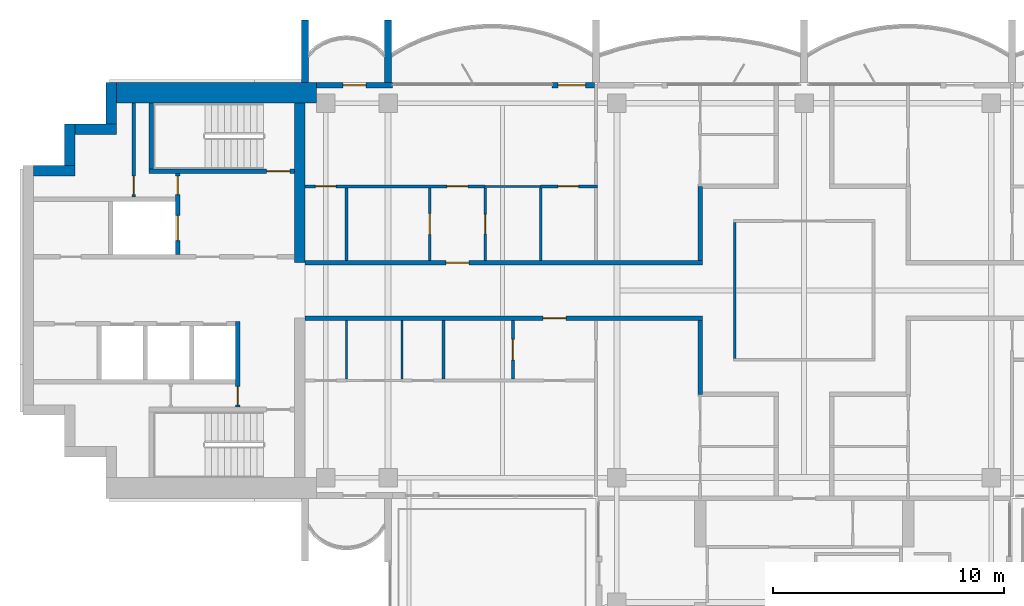
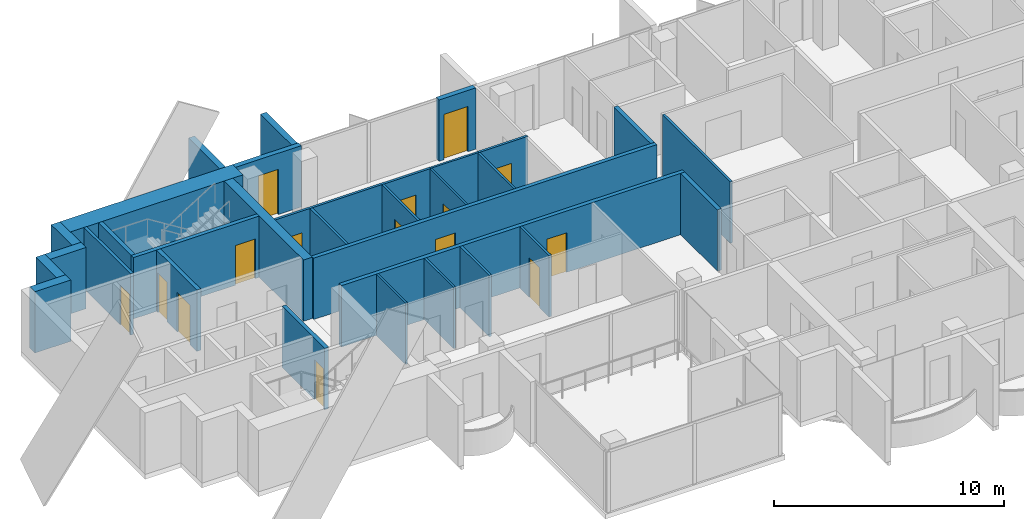
# One storey, part 8 of 16: 31 walls, 15 doors, 15 openings.
"""IFC4 building model written with IfcOpenShell, lengths in metres."""

from ifc_helpers import new_model, si_unit, direction, frame, frame_2d, origin, place, context, subcontext, project, spatial, rectangle, extrude, material, layer, layer_set, type_object, element, fill, save


model = new_model("IFC4")

# Units and contexts
model_context = context("Model", 3, precision=1e-05, world=origin(), true_north=direction((0.0, 1.0)))
body_context = subcontext(model_context, "Body", "Model", "MODEL_VIEW")
ifc_project = project(units=[si_unit("LENGTHUNIT", "METRE"), si_unit("AREAUNIT", "SQUARE_METRE"), si_unit("VOLUMEUNIT", "CUBIC_METRE"), si_unit("PLANEANGLEUNIT", "RADIAN"), si_unit("MASSUNIT", "GRAM", prefix="KILO")], contexts=[model_context])

# Site, building, storey
site_placement = place(None, origin())
site = spatial("IfcSite", under=ifc_project, at=site_placement, CompositionType="ELEMENT")
building_placement = place(site_placement, origin())
building = spatial("IfcBuilding", under=site, at=building_placement, Name="Perihelion Cross Residences", CompositionType="ELEMENT")
storey_placement = place(building_placement, frame((0.0, 0.0, 239.5)))
storey = spatial("IfcBuildingStorey", under=building, at=storey_placement, Name="L60", CompositionType="ELEMENT", Elevation=239.5)

# Wall, opening, door
ifc_material_1 = material(Name="Plasterboard partition")
ifc_layer_1 = layer(ifc_material_1, 0.199951171875)
ifc_layer_set_1 = layer_set([ifc_layer_1], Name="Apartment separation wall 200")
wall_type_1 = type_object("IfcWallType", Name="Apartment separation wall 200", PredefinedType="PARTITIONING", material=ifc_layer_set_1)
wall_1_placement = place(storey_placement, frame((-21.60009765625, 1.199951171875, 0.0), z_axis=(0.0, 0.0, 1.0), x_axis=(1.0, 0.0, 0.0)))
wall_1 = element("IfcWall", 1, at=wall_1_placement, inside=storey, type_object=wall_type_1, Name="Partition L60 W013", PredefinedType="PARTITIONING", context=body_context, shape_type="SweptSolid", body=[
    extrude(rectangle(XDim=17.2001953125, YDim=0.199951171875, at=frame_2d((8.60009765625, 0.0))), origin(), (0.0, 0.0, 1.0), 3.25),
])
opening_1_placement = place(wall_1_placement, frame((6.10009765625, 0.0, 0.0)))
opening_1 = element("IfcOpeningElement", 2, at=opening_1_placement, cuts=wall_1, Name="Opening L60.A41", PredefinedType="OPENING", context=body_context, shape_type="SweptSolid", body=[
    extrude(rectangle(XDim=1.0, YDim=2.10009765625, at=frame_2d((0.5, 1.050048828125))), frame((0.0, 0.10986328125, 0.0), z_axis=(0.0, -1.0, 0.0), x_axis=(1.0, 0.0, 0.0)), (0.0, 0.0, 1.0), 0.219970703125),
])
ifc_material_2 = material(Name="Timber door leaf", Category="wood")
door_type_1 = type_object("IfcDoorType", Name="Flat entrance door 1000 x 2100", OperationType="SINGLE_SWING_LEFT", PredefinedType="DOOR", material=ifc_material_2)
door_1_placement = place(opening_1_placement, origin())
door_1 = element("IfcDoor", 3, at=door_1_placement, inside=storey, type_object=door_type_1, Name="Door L60.A41", OperationType="SINGLE_SWING_LEFT", OverallHeight=2.10009765625, OverallWidth=1.0, PredefinedType="DOOR", context=body_context, shape_type="SweptSolid", body=[
    extrude(rectangle(XDim=1.0, YDim=2.10009765625, at=frame_2d((0.5, 1.050048828125))), frame((0.0, 0.02490234375, 0.0), z_axis=(0.0, -1.0, 0.0), x_axis=(1.0, 0.0, 0.0)), (0.0, 0.0, 1.0), 0.050048828125),
])
fill(opening_1, door_1)

# Wall
wall_2_placement = place(storey_placement, frame((-4.5, 1.300048828125, 0.0), z_axis=(0.0, 0.0, 1.0), x_axis=(0.0, 1.0, 0.0)))
element("IfcWall", 4, at=wall_2_placement, inside=storey, type_object=wall_type_1, Name="Partition L60 W014", PredefinedType="PARTITIONING", context=body_context, shape_type="SweptSolid", body=[
    extrude(rectangle(XDim=3.199951171875, YDim=0.199951171875, at=frame_2d((1.60009765625, 0.0))), origin(), (0.0, 0.0, 1.0), 3.25),
])

# Wall, opening, door
wall_3_placement = place(storey_placement, frame((-4.39990234375, -1.199951171875, 0.0), z_axis=(0.0, 0.0, 1.0), x_axis=(-1.0, 0.0, 0.0)))
wall_3 = element("IfcWall", 5, at=wall_3_placement, inside=storey, type_object=wall_type_1, Name="Partition L60 W017", PredefinedType="PARTITIONING", context=body_context, shape_type="SweptSolid", body=[
    extrude(rectangle(XDim=17.2001953125, YDim=0.199951171875, at=frame_2d((8.60009765625, 0.0))), origin(), (0.0, 0.0, 1.0), 3.25),
])
opening_2_placement = place(wall_3_placement, frame((5.89990234375, 0.0, 0.0)))
opening_2 = element("IfcOpeningElement", 6, at=opening_2_placement, cuts=wall_3, Name="Opening L60.A42", PredefinedType="OPENING", context=body_context, shape_type="SweptSolid", body=[
    extrude(rectangle(XDim=1.0, YDim=2.10009765625, at=frame_2d((0.5, 1.050048828125))), frame((0.0, 0.10986328125, 0.0), z_axis=(0.0, -1.0, 0.0), x_axis=(1.0, 0.0, 0.0)), (0.0, 0.0, 1.0), 0.219970703125),
])
door_2_placement = place(opening_2_placement, origin())
door_2 = element("IfcDoor", 7, at=door_2_placement, inside=storey, type_object=door_type_1, Name="Door L60.A42", OperationType="SINGLE_SWING_LEFT", OverallHeight=2.10009765625, OverallWidth=1.0, PredefinedType="DOOR", context=body_context, shape_type="SweptSolid", body=[
    extrude(rectangle(XDim=1.0, YDim=2.10009765625, at=frame_2d((0.5, 1.050048828125))), frame((0.0, 0.02490234375, 0.0), z_axis=(0.0, -1.0, 0.0), x_axis=(1.0, 0.0, 0.0)), (0.0, 0.0, 1.0), 0.050048828125),
])
fill(opening_2, door_2)

# Wall
wall_4_placement = place(storey_placement, frame((-4.5, -4.5, 0.0), z_axis=(0.0, 0.0, 1.0), x_axis=(0.0, 1.0, 0.0)))
element("IfcWall", 8, at=wall_4_placement, inside=storey, type_object=wall_type_1, Name="Partition L60 W018", PredefinedType="PARTITIONING", context=body_context, shape_type="SweptSolid", body=[
    extrude(rectangle(XDim=3.199951171875, YDim=0.199951171875, at=frame_2d((1.60009765625, 0.0))), origin(), (0.0, 0.0, 1.0), 3.25),
])

# Wall, opening, door
ifc_material_3 = material(Name="Concrete C30/37, bronze-clad", Category="concrete")
ifc_layer_2 = layer(ifc_material_3, 0.25)
ifc_layer_set_2 = layer_set([ifc_layer_2], Name="Bronze-clad pier wall 250")
wall_type_2 = type_object("IfcWallType", Name="Bronze-clad pier wall 250", PredefinedType="SOLIDWALL", material=ifc_layer_set_2)
wall_5_placement = place(storey_placement, frame((-9.06005859375, 8.875, 0.0), z_axis=(0.0, 0.0, 1.0), x_axis=(-1.0, 0.0, 0.0)))
wall_5 = element("IfcWall", 9, at=wall_5_placement, inside=storey, type_object=wall_type_2, Name="Wall FW1 L60 west side north bay 1 pier", PredefinedType="SOLIDWALL", context=body_context, shape_type="SweptSolid", body=[
    extrude(rectangle(XDim=1.83984375, YDim=0.25, at=frame_2d((0.919921875, 0.0))), origin(), (0.0, 0.0, 1.0), 3.25),
])
opening_3_placement = place(wall_5_placement, frame((0.389892578125, 0.0, 0.0)))
opening_3 = element("IfcOpeningElement", 10, at=opening_3_placement, cuts=wall_5, Name="Opening L60.E05", PredefinedType="OPENING", context=body_context, shape_type="SweptSolid", body=[
    extrude(rectangle(XDim=1.199951171875, YDim=2.39990234375, at=frame_2d((0.60009765625, 1.199951171875))), frame((0.0, 0.135009765625, 0.0), z_axis=(0.0, -1.0, 0.0), x_axis=(1.0, 0.0, 0.0)), (0.0, 0.0, 1.0), 0.27001953125),
])
ifc_material_4 = material(Name="Bronze anodised aluminium, glazed", Category="aluminium")
door_type_2 = type_object("IfcDoorType", Name="Balcony door 1200 x 2400", OperationType="NOTDEFINED", PredefinedType="DOOR", material=ifc_material_4)
door_3_placement = place(opening_3_placement, origin())
door_3 = element("IfcDoor", 11, at=door_3_placement, inside=storey, type_object=door_type_2, Name="Door L60.E05 west side north bay 1", OperationType="SINGLE_SWING_LEFT", OverallHeight=2.39990234375, OverallWidth=1.199951171875, PredefinedType="DOOR", context=body_context, shape_type="SweptSolid", body=[
    extrude(rectangle(XDim=1.199951171875, YDim=2.39990234375, at=frame_2d((0.60009765625, 1.199951171875))), frame((0.0, 0.02490234375, 0.0), z_axis=(0.0, -1.0, 0.0), x_axis=(1.0, 0.0, 0.0)), (0.0, 0.0, 1.0), 0.050048828125),
])
fill(opening_3, door_3)

wall_6_placement = place(storey_placement, frame((-17.800048828125, 8.875, 0.0), z_axis=(0.0, 0.0, 1.0), x_axis=(-1.0, 0.0, 0.0)))
wall_6 = element("IfcWall", 12, at=wall_6_placement, inside=storey, type_object=wall_type_2, Name="Wall FW1 L60 west side north bay 2 pier", PredefinedType="SOLIDWALL", context=body_context, shape_type="SweptSolid", body=[
    extrude(rectangle(XDim=3.300048828125, YDim=0.25, at=frame_2d((1.64990234375, 0.0))), origin(), (0.0, 0.0, 1.0), 3.25),
])
opening_4_placement = place(wall_6_placement, frame((1.14990234375, 0.0, 0.0)))
opening_4 = element("IfcOpeningElement", 13, at=opening_4_placement, cuts=wall_6, Name="Opening L60.E06", PredefinedType="OPENING", context=body_context, shape_type="SweptSolid", body=[
    extrude(rectangle(XDim=1.0, YDim=2.39990234375, at=frame_2d((0.5, 1.199951171875))), frame((0.0, 0.135009765625, 0.0), z_axis=(0.0, -1.0, 0.0), x_axis=(1.0, 0.0, 0.0)), (0.0, 0.0, 1.0), 0.27001953125),
])
ifc_material_5 = material(Name="Bronze anodised aluminium, glazed", Category="aluminium")
door_type_3 = type_object("IfcDoorType", Name="Balcony door 1000 x 2400", OperationType="NOTDEFINED", PredefinedType="DOOR", material=ifc_material_5)
door_4_placement = place(opening_4_placement, origin())
door_4 = element("IfcDoor", 14, at=door_4_placement, inside=storey, type_object=door_type_3, Name="Door L60.E06 west side north bay 2", OperationType="SINGLE_SWING_RIGHT", OverallHeight=2.39990234375, OverallWidth=1.0, PredefinedType="DOOR", context=body_context, shape_type="SweptSolid", body=[
    extrude(rectangle(XDim=1.0, YDim=2.39990234375, at=frame_2d((0.5, 1.199951171875))), frame((0.0, 0.02490234375, 0.0), z_axis=(0.0, -1.0, 0.0), x_axis=(1.0, 0.0, 0.0)), (0.0, 0.0, 1.0), 0.050048828125),
])
fill(opening_4, door_4)

# Walls
ifc_material_6 = material(Name="Concrete C60/75", Category="concrete")
ifc_layer_3 = layer(ifc_material_6, 0.449951171875)
ifc_layer_set_3 = layer_set([ifc_layer_3], Name="Core wall, inner 450")
wall_type_3 = type_object("IfcWallType", Name="Core wall, inner 450", PredefinedType="SHEAR", material=ifc_layer_set_3)
wall_7_placement = place(storey_placement, frame((-21.824951171875, 1.199951171875, 0.0), z_axis=(0.0, 0.0, 1.0), x_axis=(0.0, 1.0, 0.0)))
element("IfcWall", 15, at=wall_7_placement, inside=storey, type_object=wall_type_3, Name="West core core wall, inner", PredefinedType="SHEAR", context=body_context, shape_type="SweptSolid", body=[
    extrude(rectangle(XDim=6.900146484375, YDim=0.449951171875, at=frame_2d((3.4501953125, 0.0))), origin(), (0.0, 0.0, 1.0), 3.25),
])
ifc_material_7 = material(Name="Concrete C60/75", Category="concrete")
ifc_layer_4 = layer(ifc_material_7, 0.449951171875)
ifc_layer_set_4 = layer_set([ifc_layer_4], Name="Core wall, outer 450")
wall_type_4 = type_object("IfcWallType", Name="Core wall, outer 450", PredefinedType="SHEAR", material=ifc_layer_set_4)
for number, where, z_axis, x_axis, name in (
    (16, (-33.35009765625, 5.175048828125, 0.0), (0.0, 0.0, 1.0), (1.0, 0.0, 0.0), "West core core wall, outer"),
    (17, (-31.77490234375, 5.39990234375, 0.0), (0.0, 0.0, 1.0), (0.0, 1.0, 0.0), "West core core wall, outer"),
    (18, (-31.550048828125, 6.97509765625, 0.0), (0.0, 0.0, 1.0), (1.0, 0.0, 0.0), "West core core wall, outer"),
    (19, (-29.97509765625, 7.199951171875, 0.0), (0.0, 0.0, 1.0), (0.0, 1.0, 0.0), "West core core wall, outer"),
):
    element("IfcWall", number, at=place(storey_placement, frame(where, z_axis=z_axis, x_axis=x_axis)), inside=storey, type_object=wall_type_4, Name=name, PredefinedType="SHEAR", context=body_context, shape_type="SweptSolid", body=[
        extrude(rectangle(XDim=1.800048828125, YDim=0.449951171875, at=frame_2d((0.89990234375, 0.0))), origin(), (0.0, 0.0, 1.0), 3.25),
    ])
ifc_material_8 = material(Name="Concrete C60/75", Category="concrete")
ifc_layer_5 = layer(ifc_material_8, 0.89990234375)
ifc_layer_set_5 = layer_set([ifc_layer_5], Name="Core wall, outer 900")
wall_type_5 = type_object("IfcWallType", Name="Core wall, outer 900", PredefinedType="SHEAR", material=ifc_layer_set_5)
wall_8_placement = place(storey_placement, frame((-29.75, 8.550048828125, 0.0), z_axis=(0.0, 0.0, 1.0), x_axis=(1.0, 0.0, 0.0)))
element("IfcWall", 20, at=wall_8_placement, inside=storey, type_object=wall_type_5, Name="West core core wall, outer", PredefinedType="SHEAR", context=body_context, shape_type="SweptSolid", body=[
    extrude(rectangle(XDim=8.64990234375, YDim=0.89990234375, at=frame_2d((4.324951171875, 0.0))), origin(), (0.0, 0.0, 1.0), 3.25),
])

# Wall, opening, door
ifc_material_9 = material(Name="Concrete C50/60", Category="concrete")
ifc_layer_6 = layer(ifc_material_9, 0.199951171875)
ifc_layer_set_6 = layer_set([ifc_layer_6], Name="Lobby wall 200")
wall_type_6 = type_object("IfcWallType", Name="Lobby wall 200", PredefinedType="SOLIDWALL", material=ifc_layer_set_6)
wall_9_placement = place(storey_placement, frame((-24.5, -5.050048828125, 0.0), z_axis=(0.0, 0.0, 1.0), x_axis=(0.0, 1.0, 0.0)))
wall_9 = element("IfcWall", 21, at=wall_9_placement, inside=storey, type_object=wall_type_6, Name="West core lobby wall", PredefinedType="SOLIDWALL", context=body_context, shape_type="SweptSolid", body=[
    extrude(rectangle(XDim=3.699951171875, YDim=0.199951171875, at=frame_2d((1.85009765625, 0.0))), origin(), (0.0, 0.0, 1.0), 3.25),
])
opening_5_placement = place(wall_9_placement, frame((0.10009765625, 0.0, 0.0)))
opening_5 = element("IfcOpeningElement", 22, at=opening_5_placement, cuts=wall_9, Name="Opening L60.C22", PredefinedType="OPENING", context=body_context, shape_type="SweptSolid", body=[
    extrude(rectangle(XDim=0.800048828125, YDim=2.10009765625, at=frame_2d((0.39990234375, 1.050048828125))), frame((0.0, 0.10986328125, 0.0), z_axis=(0.0, -1.0, 0.0), x_axis=(1.0, 0.0, 0.0)), (0.0, 0.0, 1.0), 0.219970703125),
])
ifc_material_10 = material(Name="Steel, powder coated", Category="steel")
door_type_4 = type_object("IfcDoorType", Name="Riser door 800", OperationType="SINGLE_SWING_LEFT", PredefinedType="DOOR", material=ifc_material_10)
door_5_placement = place(opening_5_placement, origin())
door_5 = element("IfcDoor", 23, at=door_5_placement, inside=storey, type_object=door_type_4, Name="West core riser door", OperationType="SINGLE_SWING_LEFT", OverallHeight=2.10009765625, OverallWidth=0.800048828125, PredefinedType="DOOR", context=body_context, shape_type="SweptSolid", body=[
    extrude(rectangle(XDim=0.800048828125, YDim=2.10009765625, at=frame_2d((0.39990234375, 1.050048828125))), frame((0.0, 0.02490234375, 0.0), z_axis=(0.0, -1.0, 0.0), x_axis=(1.0, 0.0, 0.0)), (0.0, 0.0, 1.0), 0.050048828125),
])
fill(opening_5, door_5)

# Wall
ifc_material_11 = material(Name="Plasterboard partition")
ifc_layer_7 = layer(ifc_material_11, 0.1201171875)
ifc_layer_set_7 = layer_set([ifc_layer_7], Name="Partition wall 120")
wall_type_7 = type_object("IfcWallType", Name="Partition wall 120", PredefinedType="PARTITIONING", material=ifc_layer_set_7)
wall_10_placement = place(storey_placement, frame((-3.0, 2.93994140625, 0.0), z_axis=(0.0, 0.0, 1.0), x_axis=(0.0, -1.0, 0.0)))
element("IfcWall", 24, at=wall_10_placement, inside=storey, type_object=wall_type_7, Name="Partition L60 W004", PredefinedType="PARTITIONING", context=body_context, shape_type="SweptSolid", body=[
    extrude(rectangle(XDim=5.8798828125, YDim=0.1201171875, at=frame_2d((2.93994140625, 0.0))), origin(), (0.0, 0.0, 1.0), 3.25),
])

# Wall, opening, door
wall_11_placement = place(storey_placement, frame((-11.39990234375, 4.5, 0.0), z_axis=(0.0, 0.0, 1.0), x_axis=(1.0, 0.0, 0.0)))
wall_11 = element("IfcWall", 25, at=wall_11_placement, inside=storey, type_object=wall_type_7, Name="Partition L60 W044", PredefinedType="PARTITIONING", context=body_context, shape_type="SweptSolid", body=[
    extrude(rectangle(XDim=2.4599609375, YDim=0.1201171875, at=frame_2d((1.22998046875, 0.0))), origin(), (0.0, 0.0, 1.0), 3.25),
])
opening_6_placement = place(wall_11_placement, frame((0.75, 0.0, 0.0)))
opening_6 = element("IfcOpeningElement", 26, at=opening_6_placement, cuts=wall_11, Name="Opening L60.A24", PredefinedType="OPENING", context=body_context, shape_type="SweptSolid", body=[
    extrude(rectangle(XDim=0.89990234375, YDim=2.10009765625, at=frame_2d((0.449951171875, 1.050048828125))), frame((0.0, 0.070068359375, 0.0), z_axis=(0.0, -1.0, 0.0), x_axis=(1.0, 0.0, 0.0)), (0.0, 0.0, 1.0), 0.14013671875),
])
ifc_material_12 = material(Name="Timber door leaf", Category="wood")
door_type_5 = type_object("IfcDoorType", Name="Interior room door 900 x 2100", OperationType="SINGLE_SWING_LEFT", PredefinedType="DOOR", material=ifc_material_12)
door_6_placement = place(opening_6_placement, origin())
door_6 = element("IfcDoor", 27, at=door_6_placement, inside=storey, type_object=door_type_5, Name="Door L60.A24", OperationType="SINGLE_SWING_LEFT", OverallHeight=2.10009765625, OverallWidth=0.89990234375, PredefinedType="DOOR", context=body_context, shape_type="SweptSolid", body=[
    extrude(rectangle(XDim=0.89990234375, YDim=2.10009765625, at=frame_2d((0.449951171875, 1.050048828125))), frame((0.0, 0.02490234375, 0.0), z_axis=(0.0, -1.0, 0.0), x_axis=(1.0, 0.0, 0.0)), (0.0, 0.0, 1.0), 0.050048828125),
])
fill(opening_6, door_6)

wall_12_placement = place(storey_placement, frame((-16.199951171875, 1.300048828125, 0.0), z_axis=(0.0, 0.0, 1.0), x_axis=(0.0, 1.0, 0.0)))
wall_12 = element("IfcWall", 28, at=wall_12_placement, inside=storey, type_object=wall_type_7, Name="Partition L60 W048", PredefinedType="PARTITIONING", context=body_context, shape_type="SweptSolid", body=[
    extrude(rectangle(XDim=3.139892578125, YDim=0.1201171875, at=frame_2d((1.56982421875, 0.0))), origin(), (0.0, 0.0, 1.0), 3.25),
])
opening_7_placement = place(wall_12_placement, frame((1.1201171875, 0.0, 0.0)))
opening_7 = element("IfcOpeningElement", 29, at=opening_7_placement, cuts=wall_12, Name="Opening L60.A18", PredefinedType="OPENING", context=body_context, shape_type="SweptSolid", body=[
    extrude(rectangle(XDim=0.89990234375, YDim=2.10009765625, at=frame_2d((0.449951171875, 1.050048828125))), frame((0.0, 0.070068359375, 0.0), z_axis=(0.0, -1.0, 0.0), x_axis=(1.0, 0.0, 0.0)), (0.0, 0.0, 1.0), 0.14013671875),
])
door_7_placement = place(opening_7_placement, origin())
door_7 = element("IfcDoor", 30, at=door_7_placement, inside=storey, type_object=door_type_5, Name="Door L60.A18", OperationType="SINGLE_SWING_LEFT", OverallHeight=2.10009765625, OverallWidth=0.89990234375, PredefinedType="DOOR", context=body_context, shape_type="SweptSolid", body=[
    extrude(rectangle(XDim=0.89990234375, YDim=2.10009765625, at=frame_2d((0.449951171875, 1.050048828125))), frame((0.0, 0.02490234375, 0.0), z_axis=(0.0, -1.0, 0.0), x_axis=(1.0, 0.0, 0.0)), (0.0, 0.0, 1.0), 0.050048828125),
])
fill(opening_7, door_7)

# Wall, openings, doors
wall_13_placement = place(storey_placement, frame((-21.60009765625, 4.5, 0.0), z_axis=(0.0, 0.0, 1.0), x_axis=(1.0, 0.0, 0.0)))
wall_13 = element("IfcWall", 31, at=wall_13_placement, inside=storey, type_object=wall_type_7, Name="Partition L60 W049", PredefinedType="PARTITIONING", context=body_context, shape_type="SweptSolid", body=[
    extrude(rectangle(XDim=7.800048828125, YDim=0.1201171875, at=frame_2d((3.89990234375, 0.0))), origin(), (0.0, 0.0, 1.0), 3.25),
])
opening_8_placement = place(wall_13_placement, frame((0.449951171875, 0.0, 0.0)))
opening_8 = element("IfcOpeningElement", 32, at=opening_8_placement, cuts=wall_13, Name="Opening L60.A19", PredefinedType="OPENING", context=body_context, shape_type="SweptSolid", body=[
    extrude(rectangle(XDim=0.89990234375, YDim=2.10009765625, at=frame_2d((0.449951171875, 1.050048828125))), frame((0.0, 0.070068359375, 0.0), z_axis=(0.0, -1.0, 0.0), x_axis=(1.0, 0.0, 0.0)), (0.0, 0.0, 1.0), 0.14013671875),
])
opening_9_placement = place(wall_13_placement, frame((6.14990234375, 0.0, 0.0)))
opening_9 = element("IfcOpeningElement", 33, at=opening_9_placement, cuts=wall_13, Name="Opening L60.A23", PredefinedType="OPENING", context=body_context, shape_type="SweptSolid", body=[
    extrude(rectangle(XDim=0.89990234375, YDim=2.10009765625, at=frame_2d((0.449951171875, 1.050048828125))), frame((0.0, 0.070068359375, 0.0), z_axis=(0.0, -1.0, 0.0), x_axis=(1.0, 0.0, 0.0)), (0.0, 0.0, 1.0), 0.14013671875),
])
door_8_placement = place(opening_8_placement, origin())
door_8 = element("IfcDoor", 34, at=door_8_placement, inside=storey, type_object=door_type_5, Name="Door L60.A19", OperationType="SINGLE_SWING_LEFT", OverallHeight=2.10009765625, OverallWidth=0.89990234375, PredefinedType="DOOR", context=body_context, shape_type="SweptSolid", body=[
    extrude(rectangle(XDim=0.89990234375, YDim=2.10009765625, at=frame_2d((0.449951171875, 1.050048828125))), frame((0.0, 0.02490234375, 0.0), z_axis=(0.0, -1.0, 0.0), x_axis=(1.0, 0.0, 0.0)), (0.0, 0.0, 1.0), 0.050048828125),
])
fill(opening_8, door_8)
door_9_placement = place(opening_9_placement, origin())
door_9 = element("IfcDoor", 35, at=door_9_placement, inside=storey, type_object=door_type_5, Name="Door L60.A23", OperationType="SINGLE_SWING_LEFT", OverallHeight=2.10009765625, OverallWidth=0.89990234375, PredefinedType="DOOR", context=body_context, shape_type="SweptSolid", body=[
    extrude(rectangle(XDim=0.89990234375, YDim=2.10009765625, at=frame_2d((0.449951171875, 1.050048828125))), frame((0.0, 0.02490234375, 0.0), z_axis=(0.0, -1.0, 0.0), x_axis=(1.0, 0.0, 0.0)), (0.0, 0.0, 1.0), 0.050048828125),
])
fill(opening_9, door_9)

# Wall
wall_14_placement = place(storey_placement, frame((-19.800048828125, 1.300048828125, 0.0), z_axis=(0.0, 0.0, 1.0), x_axis=(0.0, 1.0, 0.0)))
element("IfcWall", 36, at=wall_14_placement, inside=storey, type_object=wall_type_7, Name="Partition L60 W050", PredefinedType="PARTITIONING", context=body_context, shape_type="SweptSolid", body=[
    extrude(rectangle(XDim=3.139892578125, YDim=0.1201171875, at=frame_2d((1.56982421875, 0.0))), origin(), (0.0, 0.0, 1.0), 3.25),
])

# Wall, opening, door
wall_15_placement = place(storey_placement, frame((-12.60009765625, -3.840087890625, 0.0), z_axis=(0.0, 0.0, 1.0), x_axis=(0.0, 1.0, 0.0)))
wall_15 = element("IfcWall", 37, at=wall_15_placement, inside=storey, type_object=wall_type_7, Name="Partition L60 W054", PredefinedType="PARTITIONING", context=body_context, shape_type="SweptSolid", body=[
    extrude(rectangle(XDim=2.5400390625, YDim=0.1201171875, at=frame_2d((1.27001953125, 0.0))), origin(), (0.0, 0.0, 1.0), 3.25),
])
opening_10_placement = place(wall_15_placement, frame((0.820068359375, 0.0, 0.0)))
opening_10 = element("IfcOpeningElement", 38, at=opening_10_placement, cuts=wall_15, Name="Opening L60.A27", PredefinedType="OPENING", context=body_context, shape_type="SweptSolid", body=[
    extrude(rectangle(XDim=0.89990234375, YDim=2.10009765625, at=frame_2d((0.449951171875, 1.050048828125))), frame((0.0, 0.070068359375, 0.0), z_axis=(0.0, -1.0, 0.0), x_axis=(1.0, 0.0, 0.0)), (0.0, 0.0, 1.0), 0.14013671875),
])
door_10_placement = place(opening_10_placement, origin())
door_10 = element("IfcDoor", 39, at=door_10_placement, inside=storey, type_object=door_type_5, Name="Door L60.A27", OperationType="SINGLE_SWING_LEFT", OverallHeight=2.10009765625, OverallWidth=0.89990234375, PredefinedType="DOOR", context=body_context, shape_type="SweptSolid", body=[
    extrude(rectangle(XDim=0.89990234375, YDim=2.10009765625, at=frame_2d((0.449951171875, 1.050048828125))), frame((0.0, 0.02490234375, 0.0), z_axis=(0.0, -1.0, 0.0), x_axis=(1.0, 0.0, 0.0)), (0.0, 0.0, 1.0), 0.050048828125),
])
fill(opening_10, door_10)

# Walls
wall_16_placement = place(storey_placement, frame((-15.60009765625, -3.840087890625, 0.0), z_axis=(0.0, 0.0, 1.0), x_axis=(0.0, 1.0, 0.0)))
element("IfcWall", 40, at=wall_16_placement, inside=storey, type_object=wall_type_7, Name="Partition L60 W057", PredefinedType="PARTITIONING", context=body_context, shape_type="SweptSolid", body=[
    extrude(rectangle(XDim=2.5400390625, YDim=0.1201171875, at=frame_2d((1.27001953125, 0.0))), origin(), (0.0, 0.0, 1.0), 3.25),
])
ifc_material_13 = material(Name="Precast concrete C50/60", Category="concrete")
ifc_layer_8 = layer(ifc_material_13, 0.300048828125)
ifc_layer_set_8 = layer_set([ifc_layer_8], Name="Precast concrete C50/60 blade wall 300")
wall_type_8 = type_object("IfcWallType", Name="Precast concrete C50/60 blade wall 300", PredefinedType="SOLIDWALL", material=ifc_layer_set_8)
for number, where, z_axis, x_axis, name in (
    (41, (-21.60009765625, 9.0, 0.0), (0.0, 0.0, 1.0), (0.0, 1.0, 0.0), "Wall BL1 L60 no. 4"),
    (42, (-18.0, 9.0, 0.0), (0.0, 0.0, 1.0), (0.0, 1.0, 0.0), "Wall BL1 L60 no. 2"),
):
    element("IfcWall", number, at=place(storey_placement, frame(where, z_axis=z_axis, x_axis=x_axis)), inside=storey, type_object=wall_type_8, Name=name, PredefinedType="SOLIDWALL", context=body_context, shape_type="SweptSolid", body=[
        extrude(rectangle(XDim=2.699951171875, YDim=0.300048828125, at=frame_2d((1.35009765625, 0.0))), origin(), (0.0, 0.0, 1.0), 3.25),
    ])

# Wall, opening, door
ifc_material_14 = material(Name="Fire-rated board on steel stud", Category="steel")
ifc_layer_9 = layer(ifc_material_14, 0.14990234375)
ifc_layer_set_9 = layer_set([ifc_layer_9], Name="Riser wall 150")
wall_type_9 = type_object("IfcWallType", Name="Riser wall 150", PredefinedType="PARTITIONING", material=ifc_layer_set_9)
wall_17_placement = place(storey_placement, frame((-29.0, 4.050048828125, 0.0), z_axis=(0.0, 0.0, 1.0), x_axis=(0.0, 1.0, 0.0)))
wall_17 = element("IfcWall", 43, at=wall_17_placement, inside=storey, type_object=wall_type_9, Name="West core riser wall", PredefinedType="PARTITIONING", context=body_context, shape_type="SweptSolid", body=[
    extrude(rectangle(XDim=4.050048828125, YDim=0.14990234375, at=frame_2d((2.02490234375, 0.0))), origin(), (0.0, 0.0, 1.0), 3.25),
])
opening_11_placement = place(wall_17_placement, frame((0.10009765625, 0.0, 0.0)))
opening_11 = element("IfcOpeningElement", 44, at=opening_11_placement, cuts=wall_17, Name="Opening L60.C26", PredefinedType="OPENING", context=body_context, shape_type="SweptSolid", body=[
    extrude(rectangle(XDim=0.800048828125, YDim=2.10009765625, at=frame_2d((0.39990234375, 1.050048828125))), frame((0.0, 0.0849609375, 0.0), z_axis=(0.0, -1.0, 0.0), x_axis=(1.0, 0.0, 0.0)), (0.0, 0.0, 1.0), 0.169921875),
])
door_11_placement = place(opening_11_placement, origin())
door_11 = element("IfcDoor", 45, at=door_11_placement, inside=storey, type_object=door_type_4, Name="West core riser door", OperationType="SINGLE_SWING_LEFT", OverallHeight=2.10009765625, OverallWidth=0.800048828125, PredefinedType="DOOR", context=body_context, shape_type="SweptSolid", body=[
    extrude(rectangle(XDim=0.800048828125, YDim=2.10009765625, at=frame_2d((0.39990234375, 1.050048828125))), frame((0.0, 0.02490234375, 0.0), z_axis=(0.0, -1.0, 0.0), x_axis=(1.0, 0.0, 0.0)), (0.0, 0.0, 1.0), 0.050048828125),
])
fill(opening_11, door_11)

# Wall, openings, doors
ifc_material_15 = material(Name="Concrete C50/60", Category="concrete")
ifc_layer_10 = layer(ifc_material_15, 0.199951171875)
ifc_layer_set_10 = layer_set([ifc_layer_10], Name="Shaft wall 200")
wall_type_10 = type_object("IfcWallType", Name="Shaft wall 200", PredefinedType="SOLIDWALL", material=ifc_layer_set_10)
wall_18_placement = place(storey_placement, frame((-27.10009765625, 1.550048828125, 0.0), z_axis=(0.0, 0.0, 1.0), x_axis=(0.0, 1.0, 0.0)))
wall_18 = element("IfcWall", 46, at=wall_18_placement, inside=storey, type_object=wall_type_10, Name="West core shaft wall", PredefinedType="SOLIDWALL", context=body_context, shape_type="SweptSolid", body=[
    extrude(rectangle(XDim=3.5, YDim=0.199951171875, at=frame_2d((1.75, 0.0))), origin(), (0.0, 0.0, 1.0), 3.25),
])
opening_12_placement = place(wall_18_placement, frame((0.60009765625, 0.0, 0.0)))
opening_12 = element("IfcOpeningElement", 47, at=opening_12_placement, cuts=wall_18, Name="Opening L60.C16", PredefinedType="OPENING", context=body_context, shape_type="SweptSolid", body=[
    extrude(rectangle(XDim=1.10009765625, YDim=2.10009765625, at=frame_2d((0.550048828125, 1.050048828125))), frame((0.0, 0.10986328125, 0.0), z_axis=(0.0, -1.0, 0.0), x_axis=(1.0, 0.0, 0.0)), (0.0, 0.0, 1.0), 0.219970703125),
])
opening_13_placement = place(wall_18_placement, frame((2.60009765625, 0.0, 0.0)))
opening_13 = element("IfcOpeningElement", 48, at=opening_13_placement, cuts=wall_18, Name="Opening L60.C24", PredefinedType="OPENING", context=body_context, shape_type="SweptSolid", body=[
    extrude(rectangle(XDim=0.800048828125, YDim=2.10009765625, at=frame_2d((0.39990234375, 1.050048828125))), frame((0.0, 0.10986328125, 0.0), z_axis=(0.0, -1.0, 0.0), x_axis=(1.0, 0.0, 0.0)), (0.0, 0.0, 1.0), 0.219970703125),
])
ifc_material_16 = material(Name="Stainless steel", Category="steel")
door_type_6 = type_object("IfcDoorType", Name="Landing door, firefighting lift 1100", OperationType="DOUBLE_DOOR_SLIDING", PredefinedType="DOOR", material=ifc_material_16)
door_12_placement = place(opening_12_placement, origin())
door_12 = element("IfcDoor", 49, at=door_12_placement, inside=storey, type_object=door_type_6, Name="Landing door, West core firefighting and service lift", OperationType="DOUBLE_DOOR_SLIDING", OverallHeight=2.10009765625, OverallWidth=1.10009765625, PredefinedType="DOOR", context=body_context, shape_type="SweptSolid", body=[
    extrude(rectangle(XDim=1.10009765625, YDim=2.10009765625, at=frame_2d((0.550048828125, 1.050048828125))), frame((0.0, 0.02490234375, 0.0), z_axis=(0.0, -1.0, 0.0), x_axis=(1.0, 0.0, 0.0)), (0.0, 0.0, 1.0), 0.050048828125),
])
fill(opening_12, door_12)
door_13_placement = place(opening_13_placement, origin())
door_13 = element("IfcDoor", 50, at=door_13_placement, inside=storey, type_object=door_type_4, Name="West core riser door", OperationType="SINGLE_SWING_LEFT", OverallHeight=2.10009765625, OverallWidth=0.800048828125, PredefinedType="DOOR", context=body_context, shape_type="SweptSolid", body=[
    extrude(rectangle(XDim=0.800048828125, YDim=2.10009765625, at=frame_2d((0.39990234375, 1.050048828125))), frame((0.0, 0.02490234375, 0.0), z_axis=(0.0, -1.0, 0.0), x_axis=(1.0, 0.0, 0.0)), (0.0, 0.0, 1.0), 0.050048828125),
])
fill(opening_13, door_13)

# Wall, opening, door
ifc_material_17 = material(Name="Concrete C50/60", Category="concrete")
ifc_layer_11 = layer(ifc_material_17, 0.199951171875)
ifc_layer_set_11 = layer_set([ifc_layer_11], Name="Stair wall 200")
wall_type_11 = type_object("IfcWallType", Name="Stair wall 200", PredefinedType="SOLIDWALL", material=ifc_layer_set_11)
wall_19_placement = place(storey_placement, frame((-28.35009765625, 5.14990234375, 0.0), z_axis=(0.0, 0.0, 1.0), x_axis=(1.0, 0.0, 0.0)))
wall_19 = element("IfcWall", 51, at=wall_19_placement, inside=storey, type_object=wall_type_11, Name="West core stair wall", PredefinedType="SOLIDWALL", context=body_context, shape_type="SweptSolid", body=[
    extrude(rectangle(XDim=6.300048828125, YDim=0.199951171875, at=frame_2d((3.14990234375, 0.0))), origin(), (0.0, 0.0, 1.0), 3.25),
])
opening_14_placement = place(wall_19_placement, frame((5.10009765625, 0.0, 0.0)))
opening_14 = element("IfcOpeningElement", 52, at=opening_14_placement, cuts=wall_19, Name="Opening L60.C20", PredefinedType="OPENING", context=body_context, shape_type="SweptSolid", body=[
    extrude(rectangle(XDim=1.0, YDim=2.10009765625, at=frame_2d((0.5, 1.050048828125))), frame((0.0, 0.10986328125, 0.0), z_axis=(0.0, -1.0, 0.0), x_axis=(1.0, 0.0, 0.0)), (0.0, 0.0, 1.0), 0.219970703125),
])
ifc_material_18 = material(Name="Steel, powder coated", Category="steel")
door_type_7 = type_object("IfcDoorType", Name="Stair door 1000", OperationType="SINGLE_SWING_LEFT", PredefinedType="DOOR", material=ifc_material_18)
door_14_placement = place(opening_14_placement, origin())
door_14 = element("IfcDoor", 53, at=door_14_placement, inside=storey, type_object=door_type_7, Name="West core stair door", OperationType="SINGLE_SWING_LEFT", OverallHeight=2.10009765625, OverallWidth=1.0, PredefinedType="DOOR", context=body_context, shape_type="SweptSolid", body=[
    extrude(rectangle(XDim=1.0, YDim=2.10009765625, at=frame_2d((0.5, 1.050048828125))), frame((0.0, 0.02490234375, 0.0), z_axis=(0.0, -1.0, 0.0), x_axis=(1.0, 0.0, 0.0)), (0.0, 0.0, 1.0), 0.050048828125),
])
fill(opening_14, door_14)

# Walls
wall_20_placement = place(storey_placement, frame((-28.25, 5.25, 0.0), z_axis=(0.0, 0.0, 1.0), x_axis=(0.0, 1.0, 0.0)))
element("IfcWall", 54, at=wall_20_placement, inside=storey, type_object=wall_type_11, Name="West core stair wall", PredefinedType="SOLIDWALL", context=body_context, shape_type="SweptSolid", body=[
    extrude(rectangle(XDim=2.85009765625, YDim=0.199951171875, at=frame_2d((1.425048828125, 0.0))), origin(), (0.0, 0.0, 1.0), 3.25),
])
ifc_material_19 = material(Name="Plasterboard partition")
ifc_layer_12 = layer(ifc_material_19, 0.10009765625)
ifc_layer_set_12 = layer_set([ifc_layer_12], Name="Wet room wall 100")
wall_type_12 = type_object("IfcWallType", Name="Wet room wall 100", PredefinedType="PARTITIONING", material=ifc_layer_set_12)
wall_21_placement = place(storey_placement, frame((-11.39990234375, 1.300048828125, 0.0), z_axis=(0.0, 0.0, 1.0), x_axis=(0.0, 1.0, 0.0)))
element("IfcWall", 55, at=wall_21_placement, inside=storey, type_object=wall_type_12, Name="Partition L60 W043", PredefinedType="PARTITIONING", context=body_context, shape_type="SweptSolid", body=[
    extrude(rectangle(XDim=3.139892578125, YDim=0.10009765625, at=frame_2d((1.56982421875, 0.0))), origin(), (0.0, 0.0, 1.0), 3.25),
])

# Wall, opening, door
wall_22_placement = place(storey_placement, frame((-13.800048828125, 1.300048828125, 0.0), z_axis=(0.0, 0.0, 1.0), x_axis=(0.0, 1.0, 0.0)))
wall_22 = element("IfcWall", 56, at=wall_22_placement, inside=storey, type_object=wall_type_12, Name="Partition L60 W046", PredefinedType="PARTITIONING", context=body_context, shape_type="SweptSolid", body=[
    extrude(rectangle(XDim=3.139892578125, YDim=0.10009765625, at=frame_2d((1.56982421875, 0.0))), origin(), (0.0, 0.0, 1.0), 3.25),
])
opening_15_placement = place(wall_22_placement, frame((1.14501953125, 0.0, 0.0)))
opening_15 = element("IfcOpeningElement", 57, at=opening_15_placement, cuts=wall_22, Name="Opening L60.A17", PredefinedType="OPENING", context=body_context, shape_type="SweptSolid", body=[
    extrude(rectangle(XDim=0.85009765625, YDim=2.10009765625, at=frame_2d((0.425048828125, 1.050048828125))), frame((0.0, 0.06005859375, 0.0), z_axis=(0.0, -1.0, 0.0), x_axis=(1.0, 0.0, 0.0)), (0.0, 0.0, 1.0), 0.1201171875),
])
ifc_material_20 = material(Name="Timber door leaf", Category="wood")
door_type_8 = type_object("IfcDoorType", Name="Interior bathroom door 850 x 2100", OperationType="SINGLE_SWING_LEFT", PredefinedType="DOOR", material=ifc_material_20)
door_15_placement = place(opening_15_placement, origin())
door_15 = element("IfcDoor", 58, at=door_15_placement, inside=storey, type_object=door_type_8, Name="Door L60.A17", OperationType="SINGLE_SWING_RIGHT", OverallHeight=2.10009765625, OverallWidth=0.85009765625, PredefinedType="DOOR", context=body_context, shape_type="SweptSolid", body=[
    extrude(rectangle(XDim=0.85009765625, YDim=2.10009765625, at=frame_2d((0.425048828125, 1.050048828125))), frame((0.0, 0.02490234375, 0.0), z_axis=(0.0, -1.0, 0.0), x_axis=(1.0, 0.0, 0.0)), (0.0, 0.0, 1.0), 0.050048828125),
])
fill(opening_15, door_15)

# Walls
wall_23_placement = place(storey_placement, frame((-13.800048828125, 4.5, 0.0), z_axis=(0.0, 0.0, 1.0), x_axis=(1.0, 0.0, 0.0)))
element("IfcWall", 59, at=wall_23_placement, inside=storey, type_object=wall_type_12, Name="Partition L60 W047", PredefinedType="PARTITIONING", context=body_context, shape_type="SweptSolid", body=[
    extrude(rectangle(XDim=2.400146484375, YDim=0.10009765625, at=frame_2d((1.2001953125, 0.0))), origin(), (0.0, 0.0, 1.0), 3.25),
])
for number, where, z_axis, x_axis, name in (
    (60, (-17.39990234375, -3.840087890625, 0.0), (0.0, 0.0, 1.0), (0.0, 1.0, 0.0), "Partition L60 W058"),
    (61, (-19.800048828125, -3.840087890625, 0.0), (0.0, 0.0, 1.0), (0.0, 1.0, 0.0), "Partition L60 W059"),
):
    element("IfcWall", number, at=place(storey_placement, frame(where, z_axis=z_axis, x_axis=x_axis)), inside=storey, type_object=wall_type_12, Name=name, PredefinedType="PARTITIONING", context=body_context, shape_type="SweptSolid", body=[
        extrude(rectangle(XDim=2.5400390625, YDim=0.10009765625, at=frame_2d((1.27001953125, 0.0))), origin(), (0.0, 0.0, 1.0), 3.25),
    ])

save(model, "model.ifc")
